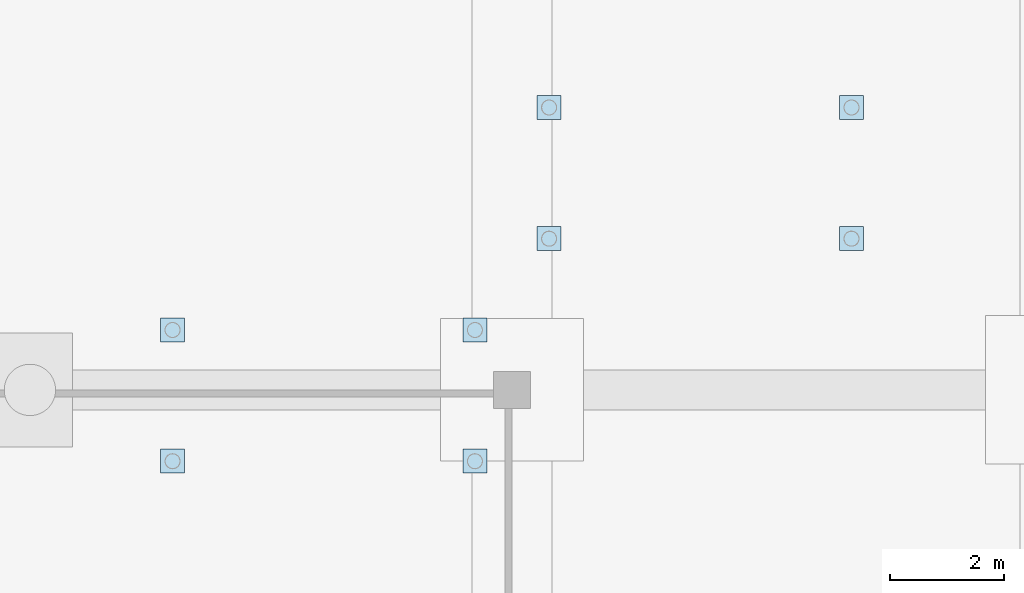
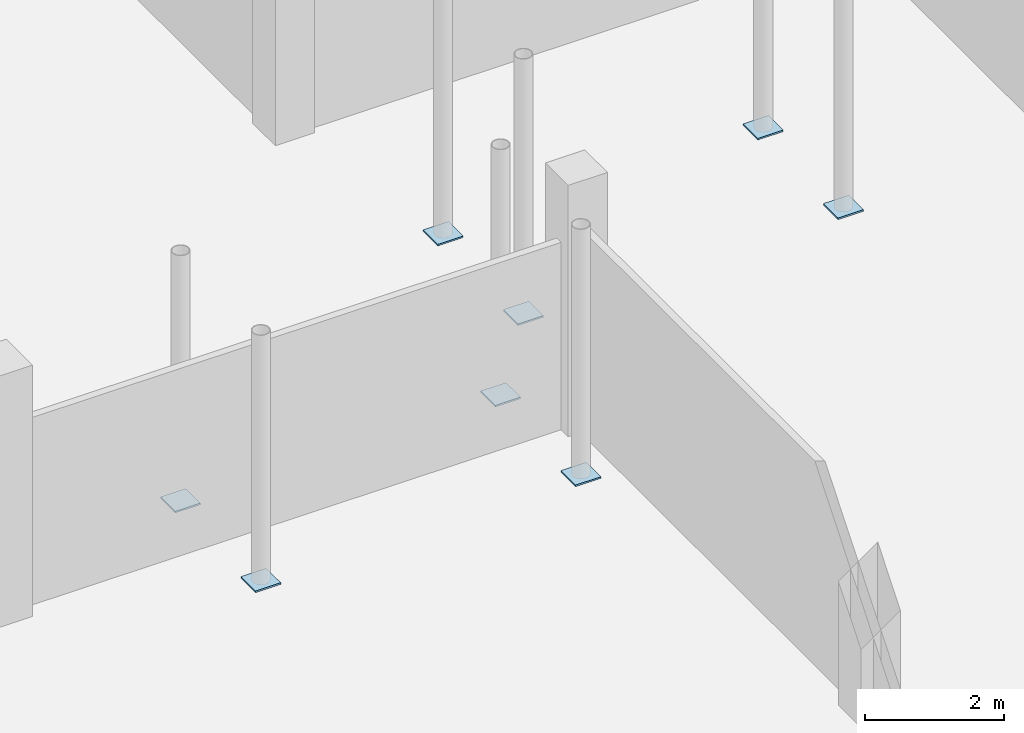
# One storey, part 16 of 26: 8 plates.
"""IFC4 building model written with IfcOpenShell, lengths in metres."""

from ifc_helpers import new_model, si_unit, direction, frame, origin, origin_2d, place, context, subcontext, project, spatial, rectangle, extrude, material, layer, layer_set, type_object, element, save


model = new_model("IFC4")

# Units and contexts
model_context = context("Model", 3, precision=1e-05, world=origin(), true_north=direction((0.0, 1.0)))
body_context = subcontext(model_context, "Body", "Model", "MODEL_VIEW")
ifc_project = project(units=[si_unit("LENGTHUNIT", "METRE"), si_unit("AREAUNIT", "SQUARE_METRE"), si_unit("VOLUMEUNIT", "CUBIC_METRE"), si_unit("PLANEANGLEUNIT", "RADIAN"), si_unit("MASSUNIT", "GRAM", prefix="KILO")], contexts=[model_context])

# Site, building, storey
site_placement = place(None, origin())
site = spatial("IfcSite", under=ifc_project, at=site_placement, CompositionType="ELEMENT")
building_placement = place(site_placement, origin())
building = spatial("IfcBuilding", under=site, at=building_placement, Name="Lornevale Opera House", CompositionType="ELEMENT")
storey_placement = place(building_placement, frame((0.0, 0.0, -9.60009765625)))
storey = spatial("IfcBuildingStorey", under=building, at=storey_placement, Name="B2", CompositionType="ELEMENT", Elevation=-9.60009765625)

# Plates
ifc_material = material(Name="Structural Steel CSA G40.21 Grade 350W (350 MPa)", Category="steel")
ifc_layer = layer(ifc_material, 0.028076171875)
ifc_layer_set = layer_set([ifc_layer], Name="Structural Steel CSA G40.21 Grade 350W (350 MPa)")
plate_type = type_object("IfcPlateType", Name="Ramp Mast Base Plate 420x420x28", PredefinedType="USERDEFINED", material=ifc_layer_set)
for number, where, z_axis, x_axis, name in (
    (1, (163.85009765625, 69.85009765625, 0.0), (0.0, 0.0, 1.0), (1.0, 0.0, 0.0), "Ramp Mast Base Plate PT-MB-0017"),
    (2, (163.85009765625, 72.14990234375, 0.0), (0.0, 0.0, 1.0), (1.0, 0.0, 0.0), "Ramp Mast Base Plate PT-MB-0019"),
    (3, (169.14990234375, 69.85009765625, 0.0), (0.0, 0.0, 1.0), (1.0, 0.0, 0.0), "Ramp Mast Base Plate PT-MB-0021"),
    (4, (169.14990234375, 72.14990234375, 0.0), (0.0, 0.0, 1.0), (1.0, 0.0, 0.0), "Ramp Mast Base Plate PT-MB-0023"),
    (5, (157.25, 65.949951171875, 0.0), (0.0, 0.0, 1.0), (1.0, 0.0, 0.0), "Ramp Mast Base Plate PT-MB-0025"),
    (6, (157.25, 68.25, 0.0), (0.0, 0.0, 1.0), (1.0, 0.0, 0.0), "Ramp Mast Base Plate PT-MB-0028"),
    (7, (162.550048828125, 65.949951171875, 0.0), (0.0, 0.0, 1.0), (1.0, 0.0, 0.0), "Ramp Mast Base Plate PT-MB-0031"),
    (8, (162.550048828125, 68.25, 0.0), (0.0, 0.0, 1.0), (1.0, 0.0, 0.0), "Ramp Mast Base Plate PT-MB-0034"),
):
    element("IfcPlate", number, at=place(storey_placement, frame(where, z_axis=z_axis, x_axis=x_axis)), inside=storey, type_object=plate_type, Name=name, ObjectType="GUSSET PLATE", PredefinedType="USERDEFINED", context=body_context, shape_type="SweptSolid", body=[
        extrude(rectangle(XDim=0.419921875, YDim=0.419921875, at=origin_2d()), origin(), (0.0, 0.0, 1.0), 0.028076171875),
    ])

save(model, "model.ifc")
